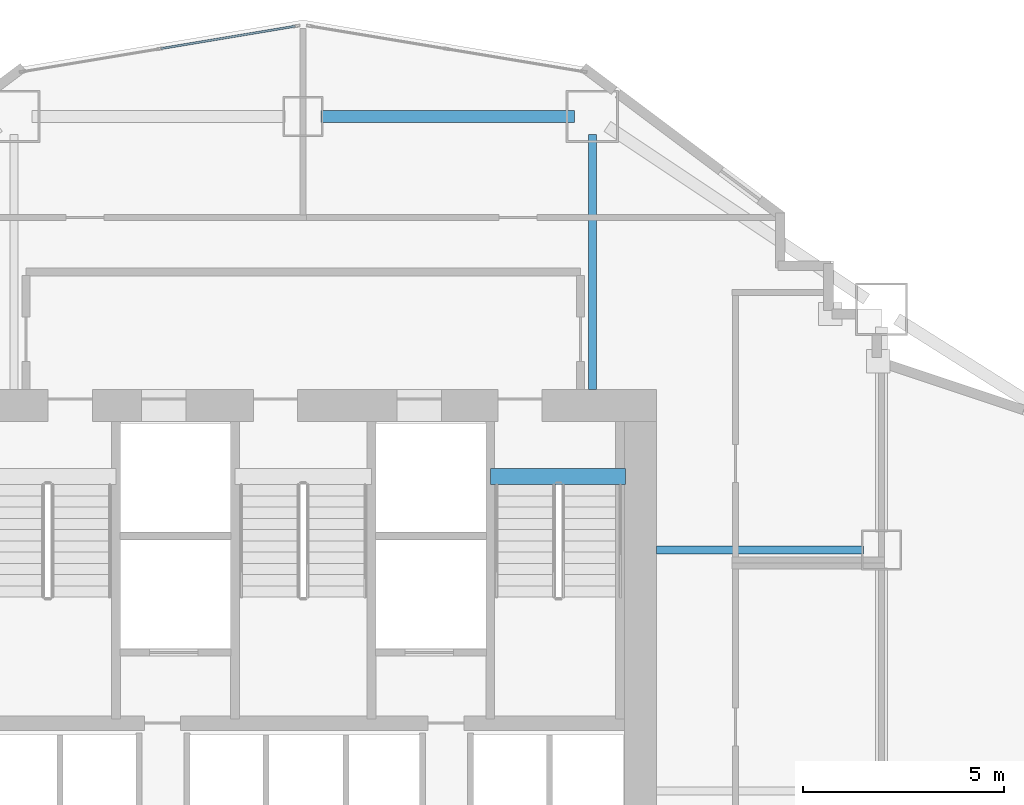
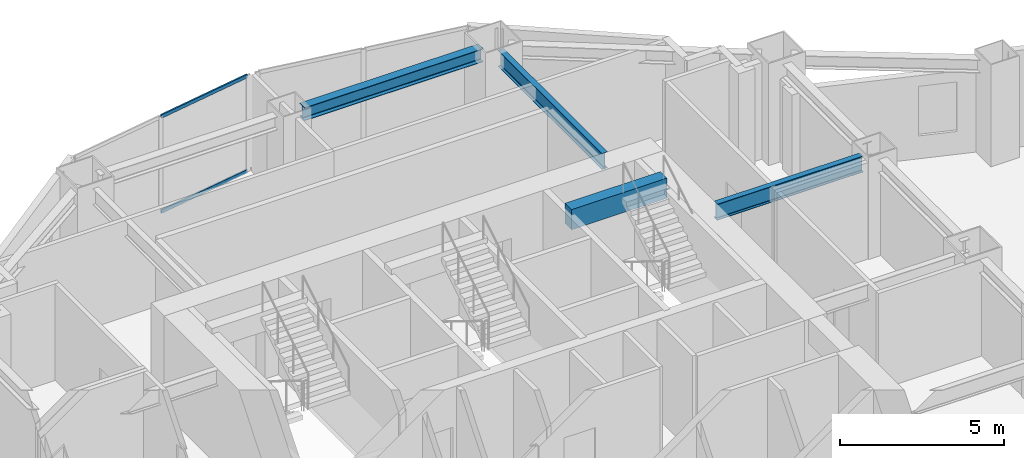
# One storey, part 3 of 17: 4 beams, 2 members, 1 element without a shape of its own.
"""IFC4 building model written with IfcOpenShell, lengths in metres."""

from ifc_helpers import new_model, si_unit, direction, frame, origin, origin_2d, place, context, subcontext, project, spatial, rectangle, hollow_rectangle, i_section, extrude, material, layer, layer_set, material_profile, profile_set, type_object, element, aggregate, save


model = new_model("IFC4")

# Units and contexts
model_context = context("Model", 3, precision=1e-05, world=origin(), true_north=direction((0.0, 1.0)))
body_context = subcontext(model_context, "Body", "Model", "MODEL_VIEW")
ifc_project = project(units=[si_unit("LENGTHUNIT", "METRE"), si_unit("AREAUNIT", "SQUARE_METRE"), si_unit("VOLUMEUNIT", "CUBIC_METRE"), si_unit("PLANEANGLEUNIT", "RADIAN"), si_unit("MASSUNIT", "GRAM", prefix="KILO")], contexts=[model_context])

# Site, building, storey
site_placement = place(None, origin())
site = spatial("IfcSite", under=ifc_project, at=site_placement, CompositionType="ELEMENT")
building_placement = place(site_placement, origin())
building = spatial("IfcBuilding", under=site, at=building_placement, Name="Haolan Belvedere Tower", CompositionType="ELEMENT")
storey_placement = place(building_placement, frame((0.0, 0.0, 35.39990234375)))
storey = spatial("IfcBuildingStorey", under=building, at=storey_placement, Name="L08", CompositionType="ELEMENT", Elevation=35.39990234375)

# Beams
ifc_material_1 = material(Name="Steel Q355B", Category="steel")
ifc_material_profile_1 = material_profile(ifc_material_1, i_section(OverallWidth=0.300048828125, OverallDepth=0.488037109375, WebThickness=0.010986328125, FlangeThickness=0.01806640625, FilletRadius=0.02587890625, at=origin_2d()), Name="Steel Q355B")
ifc_profile_set_1 = profile_set([ifc_material_profile_1], Name="Steel Q355B")
beam_type_1 = type_object("IfcBeamType", Name="BM-HM488x300x11x18", PredefinedType="SPANDREL", material=ifc_profile_set_1)
beam_1_placement = place(storey_placement, frame((38.85009765625, 50.39990234375, 3.356201171875), z_axis=(1.0, 0.0, 0.0), x_axis=(0.0, 1.0, 0.0)))
element("IfcBeam", 1, at=beam_1_placement, inside=storey, type_object=beam_type_1, Name="L08 spandrel girder TC-T3-NM-MC-T3-N2", PredefinedType="SPANDREL", context=body_context, shape_type="SweptSolid", body=[
    extrude(i_section(OverallWidth=0.300048828125, OverallDepth=0.488037109375, WebThickness=0.010986328125, FlangeThickness=0.01806640625, FilletRadius=0.02587890625, at=origin_2d()), origin(), (0.0, 0.0, 1.0), 6.2998046875),
])
ifc_material_profile_2 = material_profile(ifc_material_1, i_section(OverallWidth=0.199951171875, OverallDepth=0.60009765625, WebThickness=0.010986328125, FlangeThickness=0.01708984375, FilletRadius=0.02197265625, at=origin_2d()), Name="Steel Q355B")
ifc_profile_set_2 = profile_set([ifc_material_profile_2], Name="Steel Q355B")
beam_type_2 = type_object("IfcBeamType", Name="BM-HN600x200x11x17", PredefinedType="BEAM", material=ifc_profile_set_2)
beam_2_placement = place(storey_placement, frame((52.35009765625, 39.60009765625, 3.300048828125), z_axis=(-1.0, 0.0, 0.0), x_axis=(0.0, -1.0, 0.0)))
element("IfcBeam", 2, at=beam_2_placement, inside=storey, type_object=beam_type_2, Name="L08 core tie beam from TC-T3-E2", PredefinedType="BEAM", context=body_context, shape_type="SweptSolid", body=[
    extrude(i_section(OverallWidth=0.199951171875, OverallDepth=0.60009765625, WebThickness=0.010986328125, FlangeThickness=0.01708984375, FilletRadius=0.02197265625, at=origin_2d()), origin(), (0.0, 0.0, 1.0), 5.150146484375),
])
beam_3_placement = place(storey_placement, frame((45.60009765625, 49.949951171875, 3.300048828125), z_axis=(0.0, -1.0, 0.0), x_axis=(1.0, 0.0, 0.0)))
element("IfcBeam", 3, at=beam_3_placement, inside=storey, type_object=beam_type_2, Name="L08 core tie beam from MC-T3-N2", PredefinedType="BEAM", context=body_context, shape_type="SweptSolid", body=[
    extrude(i_section(OverallWidth=0.199951171875, OverallDepth=0.60009765625, WebThickness=0.010986328125, FlangeThickness=0.01708984375, FilletRadius=0.02197265625, at=origin_2d()), origin(), (0.0, 0.0, 1.0), 6.349853515625),
])
ifc_material_2 = material(Name="Concrete C50/60", Category="concrete")
ifc_material_profile_3 = material_profile(ifc_material_2, rectangle(XDim=0.39990234375, YDim=0.75, at=origin_2d()), Name="Concrete C50/60")
ifc_profile_set_3 = profile_set([ifc_material_profile_3], Name="Concrete C50/60")
beam_type_3 = type_object("IfcBeamType", Name="BM-RC400x750", PredefinedType="T_BEAM", material=ifc_profile_set_3)
beam_4_placement = place(storey_placement, frame((43.06005859375, 41.429931640625, 3.425048828125), z_axis=(1.0, 0.0, 0.0), x_axis=(0.0, 1.0, 0.0)))
element("IfcBeam", 4, at=beam_4_placement, inside=storey, type_object=beam_type_3, Name="L09 stair ST2 RC header trimmer beam", PredefinedType="BEAM", context=body_context, shape_type="SweptSolid", body=[
    extrude(rectangle(XDim=0.39990234375, YDim=0.75, at=origin_2d()), origin(), (0.0, 0.0, 1.0), 3.35986328125),
])

# Curtain wall, members
ifc_material_3 = material(Name="Anodised champagne-silver aluminium 6063-T6 and Low-E glass", Category="aluminium")
ifc_layer = layer(ifc_material_3, 0.1650390625, Name="Anodised champagne-silver aluminium 6063-T6 and Low-E glass")
ifc_layer_set = layer_set([ifc_layer], Name="Anodised champagne-silver aluminium 6063-T6 and Low-E glass")
curtain_wall_type = type_object("IfcCurtainWallType", Name="CW-SYS-02", PredefinedType="NOTDEFINED", material=ifc_layer_set)
curtain_wall_placement = place(storey_placement, origin())
curtain_wall = element("IfcCurtainWall", 5, at=curtain_wall_placement, inside=storey, type_object=curtain_wall_type, Name="L08 CW-SYS-02 ribbon curtain wall 43.1", PredefinedType="NOTDEFINED")
ifc_material_4 = material(Name="Anodised aluminium 6063-T6", Category="aluminium")
ifc_material_profile_4 = material_profile(ifc_material_4, hollow_rectangle(XDim=0.054931640625, YDim=0.1298828125, WallThickness=0.00390625, at=origin_2d()), Name="Anodised aluminium 6063-T6")
ifc_profile_set_4 = profile_set([ifc_material_profile_4], Name="Anodised aluminium 6063-T6")
member_type = type_object("IfcMemberType", Name="CW-SYS-02-TRN", PredefinedType="USERDEFINED", material=ifc_profile_set_4)
member_1_placement = place(storey_placement, frame((38.20263671875, 52.6455078125, 0.027587890625), z_axis=(-0.986393923832, -0.164398987305, 0.0), x_axis=(0.164398987305, -0.986393923832, 0.0)))
member_1 = element("IfcMember", 6, at=member_1_placement, type_object=member_type, Name="CW-02 transom 1.1", ObjectType="TRANSOM", PredefinedType="USERDEFINED", context=body_context, shape_type="SweptSolid", body=[
    extrude(hollow_rectangle(XDim=0.054931640625, YDim=0.1298828125, WallThickness=0.00390625, at=origin_2d()), origin(), (0.0, 0.0, 1.0), 3.394775390625),
])
member_2_placement = place(storey_placement, frame((38.20263671875, 52.6455078125, 3.572509765625), z_axis=(-0.986393923832, -0.164398987305, 0.0), x_axis=(0.164398987305, -0.986393923832, 0.0)))
member_2 = element("IfcMember", 7, at=member_2_placement, type_object=member_type, Name="CW-02 transom 1.2", ObjectType="TRANSOM", PredefinedType="USERDEFINED", context=body_context, shape_type="SweptSolid", body=[
    extrude(hollow_rectangle(XDim=0.054931640625, YDim=0.1298828125, WallThickness=0.00390625, at=origin_2d()), origin(), (0.0, 0.0, 1.0), 3.394775390625),
])
aggregate(curtain_wall, [member_1, member_2])

save(model, "model.ifc")
